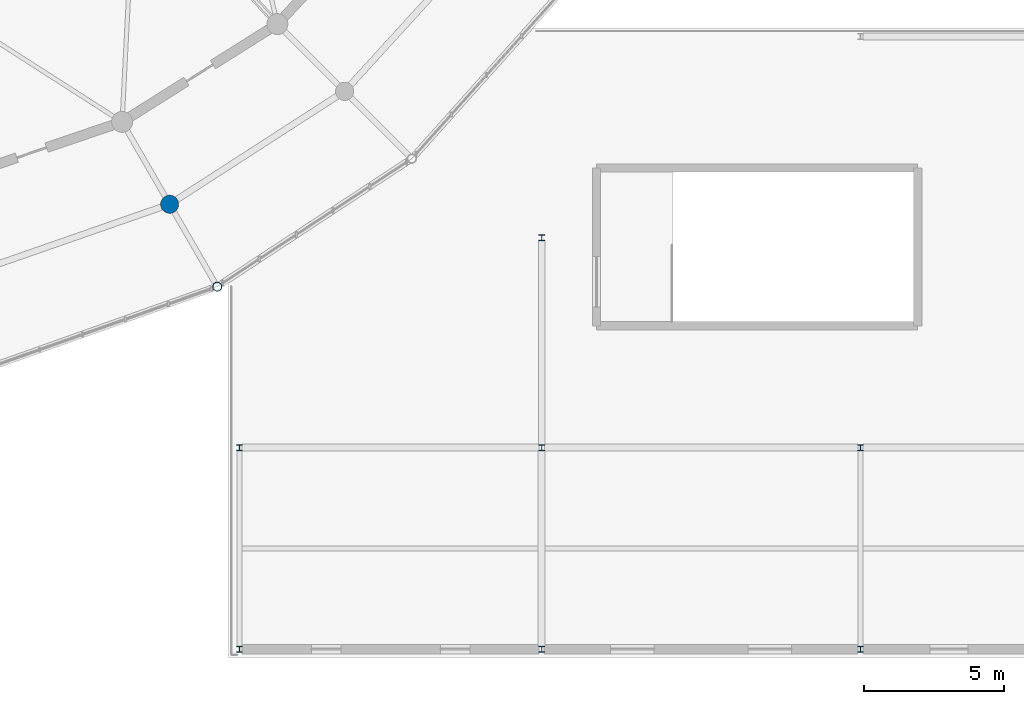
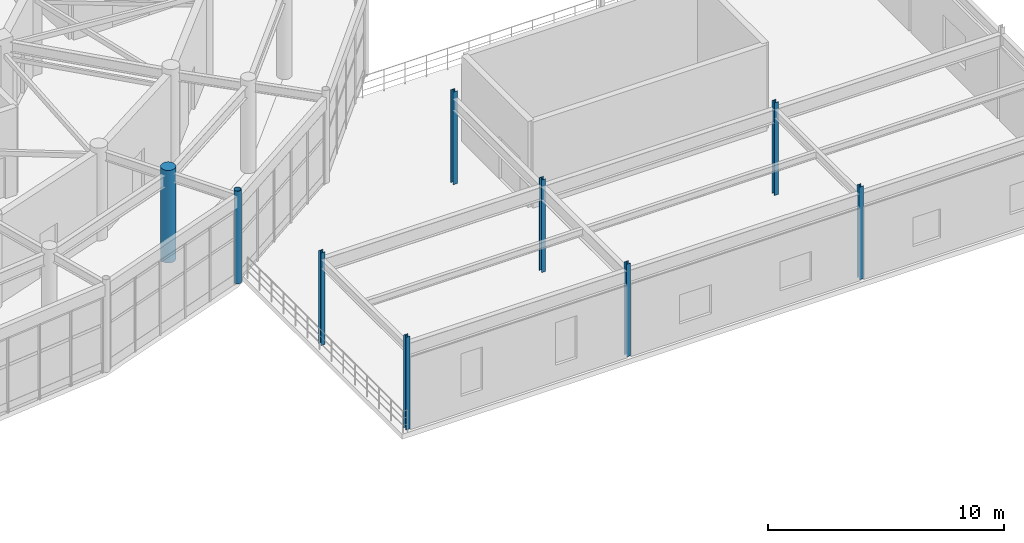
# One storey, part 21 of 144: 9 columns.
"""IFC4 building model written with IfcOpenShell, lengths in metres."""

from ifc_helpers import new_model, si_unit, direction, frame, origin, origin_2d, place, context, subcontext, project, spatial, circle, hollow_circle, i_section, extrude, material, material_profile, profile_set, type_object, element, save


model = new_model("IFC4")

# Units and contexts
model_context = context("Model", 3, precision=1e-05, world=origin(), true_north=direction((0.0, 1.0)))
body_context = subcontext(model_context, "Body", "Model", "MODEL_VIEW")
ifc_project = project(units=[si_unit("LENGTHUNIT", "METRE"), si_unit("AREAUNIT", "SQUARE_METRE"), si_unit("VOLUMEUNIT", "CUBIC_METRE"), si_unit("PLANEANGLEUNIT", "RADIAN"), si_unit("MASSUNIT", "GRAM", prefix="KILO")], contexts=[model_context])

# Site, building, storey
site_placement = place(None, origin())
site = spatial("IfcSite", under=ifc_project, at=site_placement, CompositionType="ELEMENT")
building_placement = place(site_placement, origin())
building = spatial("IfcBuilding", under=site, at=building_placement, Name="Cinderbank Siding Concert Hall", CompositionType="ELEMENT")
storey_placement = place(building_placement, frame((0.0, 0.0, 5.39990234375)))
storey = spatial("IfcBuildingStorey", under=building, at=storey_placement, Name="L02", CompositionType="ELEMENT", Elevation=5.39990234375)

# Columns
ifc_material_1 = material(Name="Structural steel hollow section AS/NZS 1163 Grade C350L0 (350 MPa)", Category="steel")
ifc_material_profile_1 = material_profile(ifc_material_1, hollow_circle(Radius=0.161865234375, WallThickness=0.0126953125, at=origin_2d()), Name="323.9x12.7CHS", Category="LoadBearing")
ifc_profile_set_1 = profile_set([ifc_material_profile_1], Name="Structural steel hollow section AS/NZS 1163 Grade C350L0 (350 MPa)")
column_type_1 = type_object("IfcColumnType", Name="C-CHS323 323.9x12.7CHS", PredefinedType="COLUMN", material=ifc_profile_set_1)
column_1_placement = place(storey_placement, frame((138.800048828125, 19.05810546875, 0.0), z_axis=(0.0, 0.0, 1.0), x_axis=(1.0, 0.0, 0.0)))
element("IfcColumn", 1, at=column_1_placement, inside=storey, type_object=column_type_1, Name="L02 Column COL-E4-21", PredefinedType="COLUMN", context=body_context, shape_type="SweptSolid", body=[
    extrude(hollow_circle(Radius=0.161865234375, WallThickness=0.0126953125, at=origin_2d()), origin(), (0.0, 0.0, 1.0), 4.800048828125),
])
ifc_material_2 = material(Name="Reinforced concrete AS 3600 N50 (50 MPa)", Category="concrete")
ifc_material_profile_2 = material_profile(ifc_material_2, circle(Radius=0.324951171875, at=origin_2d()), Name="RC-COL-650DIA", Category="LoadBearing")
ifc_profile_set_2 = profile_set([ifc_material_profile_2], Name="Reinforced concrete AS 3600 N50 (50 MPa)")
column_type_2 = type_object("IfcColumnType", Name="C-RCD650 RC-COL-650DIA", PredefinedType="COLUMN", material=ifc_profile_set_2)
column_2_placement = place(storey_placement, frame((137.10009765625, 22.0029296875, 0.0), z_axis=(0.0, 0.0, 1.0), x_axis=(1.0, 0.0, 0.0)))
element("IfcColumn", 2, at=column_2_placement, inside=storey, type_object=column_type_2, Name="L02 Column COL-E3-21", PredefinedType="COLUMN", context=body_context, shape_type="SweptSolid", body=[
    extrude(circle(Radius=0.324951171875, at=origin_2d()), origin(), (0.0, 0.0, 1.0), 4.800048828125),
])
ifc_material_3 = material(Name="Structural steel AS/NZS 3679.1 Grade 350 (340 MPa)", Category="steel")
ifc_material_profile_3 = material_profile(ifc_material_3, i_section(OverallWidth=0.205078125, OverallDepth=0.209716796875, WebThickness=0.00927734375, FlangeThickness=0.01416015625, at=origin_2d()), Name="200UC59.5", Category="LoadBearing")
ifc_profile_set_3 = profile_set([ifc_material_profile_3], Name="Structural steel AS/NZS 3679.1 Grade 350 (340 MPa)")
column_type_3 = type_object("IfcColumnType", Name="C-UC200 200UC59.5", PredefinedType="COLUMN", material=ifc_profile_set_3)
for number, where, z_axis, x_axis, name in (
    (3, (139.60009765625, 6.10009765625, 0.0), (0.0, 0.0, 1.0), (1.0, 0.0, 0.0), "L02 Column COL-SE-1-1"),
    (4, (139.60009765625, 13.300048828125, 0.0), (0.0, 0.0, 1.0), (1.0, 0.0, 0.0), "L02 Column COL-SE-1-2"),
    (5, (150.39990234375, 6.10009765625, 0.0), (0.0, 0.0, 1.0), (1.0, 0.0, 0.0), "L02 Column COL-SE-2-1"),
    (6, (150.39990234375, 13.300048828125, 0.0), (0.0, 0.0, 1.0), (1.0, 0.0, 0.0), "L02 Column COL-SE-2-2"),
    (7, (150.39990234375, 20.800048828125, 0.0), (0.0, 0.0, 1.0), (1.0, 0.0, 0.0), "L02 Column COL-SE-2-3"),
    (8, (161.800048828125, 6.10009765625, 0.0), (0.0, 0.0, 1.0), (1.0, 0.0, 0.0), "L02 Column COL-SE-3-1"),
    (9, (161.800048828125, 13.300048828125, 0.0), (0.0, 0.0, 1.0), (1.0, 0.0, 0.0), "L02 Column COL-SE-3-2"),
):
    element("IfcColumn", number, at=place(storey_placement, frame(where, z_axis=z_axis, x_axis=x_axis)), inside=storey, type_object=column_type_3, Name=name, PredefinedType="COLUMN", context=body_context, shape_type="SweptSolid", body=[
        extrude(i_section(OverallWidth=0.205078125, OverallDepth=0.209716796875, WebThickness=0.00927734375, FlangeThickness=0.01416015625, at=origin_2d()), origin(), (0.0, 0.0, 1.0), 4.800048828125),
    ])

save(model, "model.ifc")
